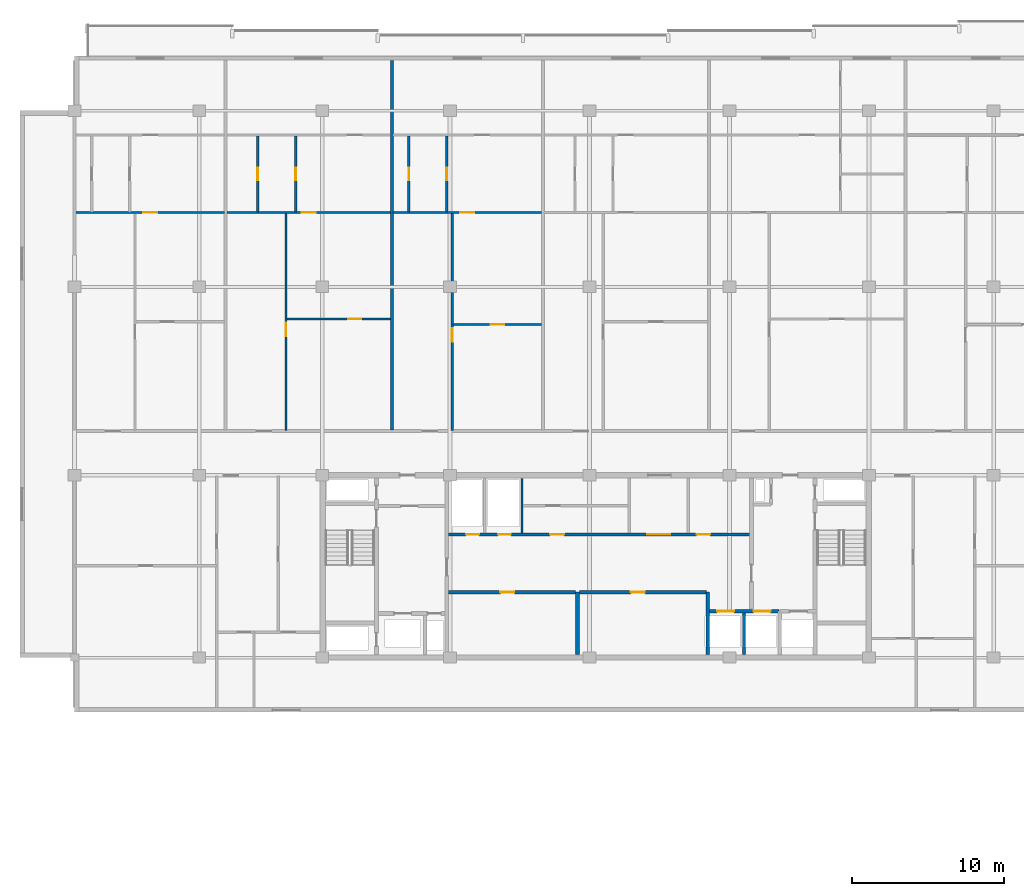
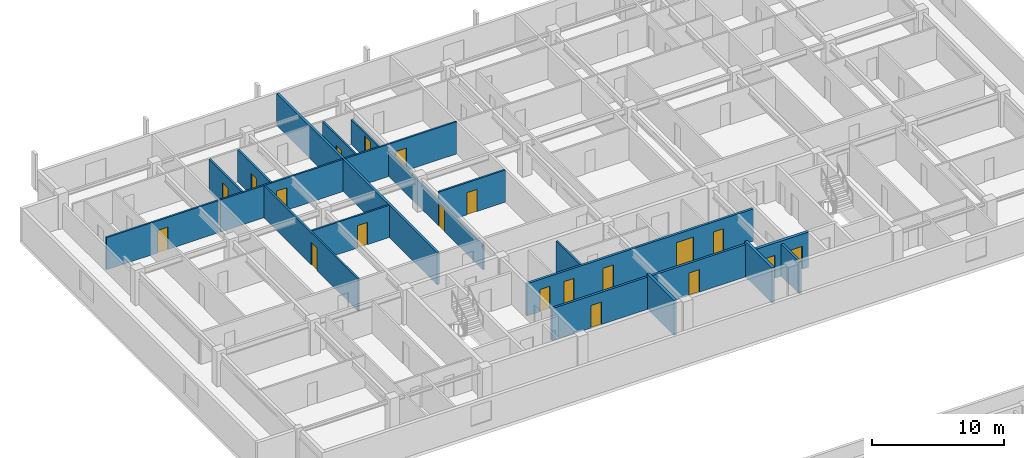
# One storey, part 9 of 17: 20 doors, 20 walls, 20 openings.
"""IFC4 building model written with IfcOpenShell, lengths in metres."""

import ifcopenshell
import ifcopenshell.guid

model = None  # the IFC model being written
_history = None  # IfcOwnerHistory: only IFC2X3 demands one
_inside = {}  # id of a spatial element -> (the spatial element, [elements in it])
_under = {}  # id of a project, library or spatial element -> (it, [spatial elements below it])
_declared = {}  # id of a project -> (the project, [libraries it declares])
_typed = {}  # id of a type object -> (the type object, [elements of that type])
_made_of = {}  # id of a material, layer set ... -> (it, [elements and type objects made of it])


def new_model(schema):
    """Start an empty IFC model of exactly this schema.

    Asked for "IFC4X3", IfcOpenShell would pick the latest addendum, in which some entities
    have other attributes; the version numbers below select the first issue.
    IFC2X3 requires an IfcOwnerHistory on every rooted entity: one is made here for all.
    """
    global model, _history
    if schema == "IFC4X3":
        model = ifcopenshell.file(schema_version=(4, 3, 0, 0))
    else:
        model = ifcopenshell.file(schema=schema)
    _inside.clear()
    _under.clear()
    _declared.clear()
    _typed.clear()
    _made_of.clear()
    _history = None
    if model.schema == "IFC2X3":
        org = make("IfcOrganization", Name="unknown")
        user = make(
            "IfcPersonAndOrganization",
            ThePerson=make("IfcPerson", FamilyName="unknown"),
            TheOrganization=org,
        )
        app = make(
            "IfcApplication",
            ApplicationDeveloper=org,
            Version="unknown",
            ApplicationFullName="unknown",
            ApplicationIdentifier="unknown",
        )
        _history = make(
            "IfcOwnerHistory",
            OwningUser=user,
            OwningApplication=app,
            ChangeAction="ADDED",
            CreationDate=0,
        )
    return model


def make(cls, **values):
    """One entity of the class cls with the attributes given. An attribute that is None is left unset."""
    return model.create_entity(
        cls, **{name: value for name, value in values.items() if value is not None}
    )


def rooted(cls, **values):
    """An entity with a GlobalId (a new one), such as an element, a storey or a relation."""
    return make(cls, GlobalId=ifcopenshell.guid.new(), OwnerHistory=_history, **values)


def si_unit(unit_type, name, prefix=None):
    """IfcSIUnit, for example si_unit("LENGTHUNIT", "METRE", prefix="MILLI")."""
    return make("IfcSIUnit", UnitType=unit_type, Prefix=prefix, Name=name)


def assignment(units):
    """IfcUnitAssignment: the units of a project."""
    return None if units is None else make("IfcUnitAssignment", Units=units)


def point(xyz):
    """IfcCartesianPoint."""
    return None if xyz is None else make("IfcCartesianPoint", Coordinates=xyz)


def direction(xyz):
    """IfcDirection."""
    return None if xyz is None else make("IfcDirection", DirectionRatios=xyz)


def frame(location, z_axis=None, x_axis=None):
    """IfcAxis2Placement3D, a coordinate frame: its origin and axes. An axis left out is left unset."""
    return make(
        "IfcAxis2Placement3D",
        Location=point(location),
        Axis=direction(z_axis),
        RefDirection=direction(x_axis),
    )


def frame_2d(location, x_axis=None):
    """IfcAxis2Placement2D, a coordinate frame in the plane: its origin and x axis."""
    return make(
        "IfcAxis2Placement2D", Location=point(location), RefDirection=direction(x_axis)
    )


def origin():
    """The frame at (0, 0, 0) with its axes left unset."""
    return frame((0.0, 0.0, 0.0))


def place(relative_to, where):
    """IfcLocalPlacement: puts the frame where relative to a parent placement (None: the world)."""
    return make(
        "IfcLocalPlacement", PlacementRelTo=relative_to, RelativePlacement=where
    )


def context(
    kind, dimensions, precision=None, world=None, true_north=None, identifier=None
):
    """IfcGeometricRepresentationContext, for example the 3D "Model" context."""
    return make(
        "IfcGeometricRepresentationContext",
        ContextIdentifier=identifier,
        ContextType=kind,
        CoordinateSpaceDimension=dimensions,
        Precision=precision,
        WorldCoordinateSystem=world,
        TrueNorth=true_north,
    )


def subcontext(parent, identifier, kind, view, scale=None):
    """IfcGeometricRepresentationSubContext, for example "Body" below "Model"."""
    return make(
        "IfcGeometricRepresentationSubContext",
        ContextIdentifier=identifier,
        ContextType=kind,
        ParentContext=parent,
        TargetScale=scale,
        TargetView=view,
    )


def project(units=None, contexts=None):
    """IfcProject with its units and contexts."""
    return rooted(
        "IfcProject",
        Name="project",
        RepresentationContexts=contexts,
        UnitsInContext=assignment(units),
    )


def spatial(cls, under=None, at=None, **own):
    """A site, building, storey or space (cls), placed at a placement, below another one or the project."""
    s = rooted(cls, ObjectPlacement=at, **own)
    if under is not None:
        _under.setdefault(under.id(), (under, []))[1].append(s)
    return s


def profile(cls, at=None, kind="AREA", **sizes):
    """A parametric profile (cls). Its sizes go by their IFC names, for example OverallWidth=200.0."""
    return make(cls, ProfileType=kind, Position=at, **sizes)


def rectangle(**sizes):
    """IfcRectangleProfileDef."""
    return profile("IfcRectangleProfileDef", **sizes)


def extrude(swept, where, along, depth):
    """IfcExtrudedAreaSolid: the profile swept, set in the frame where, extruded along a direction by depth."""
    return make(
        "IfcExtrudedAreaSolid",
        SweptArea=swept,
        Position=where,
        ExtrudedDirection=direction(along),
        Depth=depth,
    )


def shape(context_of_items, identifier, shape_type, items):
    """IfcShapeRepresentation: the items that make up one representation, for example the "Body"."""
    return make(
        "IfcShapeRepresentation",
        ContextOfItems=context_of_items,
        RepresentationIdentifier=identifier,
        RepresentationType=shape_type,
        Items=items,
    )


def material(Name=None, Category=None):
    """IfcMaterial."""
    return make("IfcMaterial", Name=Name, Category=Category)


def layer(
    of_material, thickness, ventilated=None, Name=None, Category=None, Priority=None
):
    """IfcMaterialLayer: one layer of a wall or slab, of a material (None: an air gap)."""
    return make(
        "IfcMaterialLayer",
        Material=of_material,
        LayerThickness=thickness,
        IsVentilated=ventilated,
        Name=Name,
        Category=Category,
        Priority=Priority,
    )


def layer_set(layers, Name=None):
    """IfcMaterialLayerSet."""
    return make("IfcMaterialLayerSet", MaterialLayers=layers, LayerSetName=Name)


def made_of(thing, what):
    """Note that an element or type object is made of a material, layer set ...; save() writes the relation."""
    if what is not None:
        _made_of.setdefault(what.id(), (what, []))[1].append(thing)
    return thing


def type_object(cls, material=None, **own):
    """A type object (cls), such as IfcWallType, which elements share."""
    return made_of(rooted(cls, **own), material)


def element(
    cls,
    number,
    at=None,
    inside=None,
    cuts=None,
    type_object=None,
    material=None,
    context=None,
    identifier="Body",
    shape_type=None,
    held_by="IfcProductDefinitionShape",
    body=None,
    shapes=None,
    **own,
):
    """One element of the class cls, such as IfcWall. Its Tag is "e" and its number.

    at: its placement. inside: the storey or other place that contains it. cuts: it is an
    opening in that element (IfcRelVoidsElement). A single representation is given by context,
    identifier, shape_type and body (its items); several are given by shapes. held_by: the class
    of the entity that holds the representations. save() writes the other relations.
    """
    e = rooted(cls, Tag="e%d" % number, ObjectPlacement=at, **own)
    if body is not None:
        shapes = [shape(context, identifier, shape_type, body)]
    if shapes is not None:
        e.Representation = make(held_by, Representations=shapes)
    if inside is not None:
        _inside.setdefault(inside.id(), (inside, []))[1].append(e)
    if cuts is not None:
        rooted(
            "IfcRelVoidsElement", RelatingBuildingElement=cuts, RelatedOpeningElement=e
        )
    if type_object is not None:
        _typed.setdefault(type_object.id(), (type_object, []))[1].append(e)
    return made_of(e, material)


def fill(opening, filler):
    """IfcRelFillsElement: the door or window that sits in an opening."""
    return rooted(
        "IfcRelFillsElement",
        RelatingOpeningElement=opening,
        RelatedBuildingElement=filler,
    )


def aggregate(whole, parts):
    """IfcRelAggregates: a whole, such as a stair, and the parts it consists of."""
    return rooted("IfcRelAggregates", RelatingObject=whole, RelatedObjects=parts)


def save(model, path):
    """Write the relations noted so far, then the file.

    IfcRelAggregates (storeys below a building ...), IfcRelContainedInSpatialStructure (elements
    in a storey), IfcRelDefinesByType, IfcRelAssociatesMaterial and IfcRelDeclares: one each for
    every whole, place, type object, material and project.
    """
    for whole, parts in _under.values():
        aggregate(whole, parts)
    for where, things in _inside.values():
        rooted(
            "IfcRelContainedInSpatialStructure",
            RelatedElements=things,
            RelatingStructure=where,
        )
    for kind, things in _typed.values():
        rooted("IfcRelDefinesByType", RelatedObjects=things, RelatingType=kind)
    for what, things in _made_of.values():
        rooted("IfcRelAssociatesMaterial", RelatedObjects=things, RelatingMaterial=what)
    for by, libraries in _declared.values():
        rooted("IfcRelDeclares", RelatingContext=by, RelatedDefinitions=libraries)
    model.write(path)


model = new_model("IFC4")

# Units and contexts
model_context = context("Model", 3, precision=1e-05, world=origin(), true_north=direction((0.0, 1.0)))
body_context = subcontext(model_context, "Body", "Model", "MODEL_VIEW")
ifc_project = project(units=[si_unit("LENGTHUNIT", "METRE"), si_unit("AREAUNIT", "SQUARE_METRE"), si_unit("VOLUMEUNIT", "CUBIC_METRE"), si_unit("PLANEANGLEUNIT", "RADIAN"), si_unit("MASSUNIT", "GRAM", prefix="KILO")], contexts=[model_context])

# Site, building, storey
site_placement = place(None, origin())
site = spatial("IfcSite", under=ifc_project, at=site_placement, CompositionType="ELEMENT")
building_placement = place(site_placement, origin())
building = spatial("IfcBuilding", under=site, at=building_placement, Name="Korimba Cascade Residences", CompositionType="ELEMENT")
storey_placement = place(building_placement, frame((0.0, 0.0, 204.35009765625)))
storey = spatial("IfcBuildingStorey", under=building, at=storey_placement, Name="L59", CompositionType="ELEMENT", Elevation=204.35009765625)

# Walls
ifc_material_1 = material(Name="Precast concrete C40/50", Category="concrete")
ifc_layer_1 = layer(ifc_material_1, 0.199951171875)
ifc_layer_set_1 = layer_set([ifc_layer_1], Name="Precast concrete C40/50")
wall_type_1 = type_object("IfcWallType", Name="WAL-IT-200", PredefinedType="PARTITIONING", material=ifc_layer_set_1)
wall_1_placement = place(storey_placement, frame((80.67822265625, 70.179931640625, 0.0), z_axis=(0.0, 0.0, 1.0), x_axis=(0.0, 1.0, 0.0)))
element("IfcWall", 1, at=wall_1_placement, inside=storey, type_object=wall_type_1, Name="L59 Partition Wall WAL-L59-T1-DEM-2", PredefinedType="PARTITIONING", context=body_context, shape_type="SweptSolid", body=[
    extrude(rectangle(XDim=24.320068359375, YDim=0.199951171875, at=frame_2d((12.16015625, 0.0))), origin(), (0.0, 0.0, 1.0), 2.97998046875),
])
ifc_material_2 = material(Name="Insulated Acoustic Stud Partition", Category="gypsum")
ifc_layer_2 = layer(ifc_material_2, 0.14990234375)
ifc_layer_set_2 = layer_set([ifc_layer_2], Name="Insulated Acoustic Stud Partition")
wall_type_2 = type_object("IfcWallType", Name="WAL-PART-150", PredefinedType="PARTITIONING", material=ifc_layer_set_2)
wall_2_placement = place(storey_placement, frame((89.25, 63.39990234375, 0.0), z_axis=(0.0, 0.0, 1.0), x_axis=(0.0, 1.0, 0.0)))
element("IfcWall", 2, at=wall_2_placement, inside=storey, type_object=wall_type_2, Name="L59 Partition Wall CW-L59-T1-PRDIV", PredefinedType="PARTITIONING", context=body_context, shape_type="SweptSolid", body=[
    extrude(rectangle(XDim=3.60009765625, YDim=0.14990234375, at=frame_2d((1.800048828125, 0.0))), origin(), (0.0, 0.0, 1.0), 2.97998046875),
])

# Wall, opening, door
wall_3_placement = place(storey_placement, frame((59.8798828125, 84.5, 0.0), z_axis=(0.0, 0.0, 1.0), x_axis=(1.0, 0.0, 0.0)))
wall_3 = element("IfcWall", 3, at=wall_3_placement, inside=storey, type_object=wall_type_2, Name="L59 Partition Wall WAL-L59-T1-U01-MW", PredefinedType="PARTITIONING", context=body_context, shape_type="SweptSolid", body=[
    extrude(rectangle(XDim=9.7822265625, YDim=0.14990234375, at=frame_2d((4.89111328125, 0.0))), origin(), (0.0, 0.0, 1.0), 2.97998046875),
])
opening_1_placement = place(wall_3_placement, frame((4.430908203125, 0.0, 0.0)))
opening_1 = element("IfcOpeningElement", 4, at=opening_1_placement, cuts=wall_3, Name="Opening D-IN1", PredefinedType="OPENING", context=body_context, shape_type="SweptSolid", body=[
    extrude(rectangle(XDim=0.919921875, YDim=2.080078125, at=frame_2d((0.4599609375, 1.0400390625))), frame((0.0, 0.0849609375, 0.0), z_axis=(0.0, -1.0, 0.0), x_axis=(1.0, 0.0, 0.0)), (0.0, 0.0, 1.0), 0.169921875),
])
ifc_material_3 = material(Name="Acoustic Timber Living Door", Category="wood")
door_type_1 = type_object("IfcDoorType", Name="DR-INT-920", OperationType="NOTDEFINED", PredefinedType="DOOR", material=ifc_material_3)
door_1_placement = place(opening_1_placement, origin())
door_1 = element("IfcDoor", 5, at=door_1_placement, inside=storey, type_object=door_type_1, Name="L59-T1-U01 Studio Kitchen Door", OperationType="SINGLE_SWING_LEFT", OverallHeight=2.080078125, OverallWidth=0.919921875, PredefinedType="DOOR", context=body_context, shape_type="SweptSolid", body=[
    extrude(rectangle(XDim=0.919921875, YDim=2.080078125, at=frame_2d((0.4599609375, 1.0400390625))), frame((0.0, 0.02490234375, 0.0), z_axis=(0.0, -1.0, 0.0), x_axis=(1.0, 0.0, 0.0)), (0.0, 0.0, 1.0), 0.050048828125),
])
fill(opening_1, door_1)

wall_4_placement = place(storey_placement, frame((73.77197265625, 77.489990234375, 0.0), z_axis=(0.0, 0.0, 1.0), x_axis=(1.0, 0.0, 0.0)))
wall_4 = element("IfcWall", 6, at=wall_4_placement, inside=storey, type_object=wall_type_2, Name="L59 Partition Wall WAL-L59-T1-U02-FMH", PredefinedType="PARTITIONING", context=body_context, shape_type="SweptSolid", body=[
    extrude(rectangle(XDim=6.826171875, YDim=0.14990234375, at=frame_2d((3.4130859375, 0.0))), origin(), (0.0, 0.0, 1.0), 2.97998046875),
])
opening_2_placement = place(wall_4_placement, frame((4.022216796875, 0.0, 0.0)))
opening_2 = element("IfcOpeningElement", 7, at=opening_2_placement, cuts=wall_4, Name="Opening D-IN2", PredefinedType="OPENING", context=body_context, shape_type="SweptSolid", body=[
    extrude(rectangle(XDim=0.8798828125, YDim=2.06005859375, at=frame_2d((0.43994140625, 1.030029296875))), frame((0.0, 0.0849609375, 0.0), z_axis=(0.0, -1.0, 0.0), x_axis=(1.0, 0.0, 0.0)), (0.0, 0.0, 1.0), 0.169921875),
])
ifc_material_4 = material(Name="Acoustic Timber Bedroom Door", Category="wood")
door_type_2 = type_object("IfcDoorType", Name="DR-INT-880", OperationType="NOTDEFINED", PredefinedType="DOOR", material=ifc_material_4)
door_2_placement = place(opening_2_placement, origin())
door_2 = element("IfcDoor", 8, at=door_2_placement, inside=storey, type_object=door_type_2, Name="L59-T1-U02 Library Salon Door", OperationType="SINGLE_SWING_LEFT", OverallHeight=2.06005859375, OverallWidth=0.8798828125, PredefinedType="DOOR", context=body_context, shape_type="SweptSolid", body=[
    extrude(rectangle(XDim=0.8798828125, YDim=2.06005859375, at=frame_2d((0.43994140625, 1.030029296875))), frame((0.0, 0.02490234375, 0.0), z_axis=(0.0, -1.0, 0.0), x_axis=(1.0, 0.0, 0.0)), (0.0, 0.0, 1.0), 0.050048828125),
])
fill(opening_2, door_2)

wall_5_placement = place(storey_placement, frame((73.7119140625, 70.159912109375, 0.0), z_axis=(0.0, 0.0, 1.0), x_axis=(0.0, 1.0, 0.0)))
wall_5 = element("IfcWall", 9, at=wall_5_placement, inside=storey, type_object=wall_type_2, Name="L59 Partition Wall WAL-L59-T1-U02-FV", PredefinedType="PARTITIONING", context=body_context, shape_type="SweptSolid", body=[
    extrude(rectangle(XDim=14.300048828125, YDim=0.14990234375, at=frame_2d((7.14990234375, 0.0))), origin(), (0.0, 0.0, 1.0), 2.97998046875),
])
opening_3_placement = place(wall_5_placement, frame((6.199951171875, 0.0, 0.0)))
opening_3 = element("IfcOpeningElement", 10, at=opening_3_placement, cuts=wall_5, Name="Opening D-IN2", PredefinedType="OPENING", context=body_context, shape_type="SweptSolid", body=[
    extrude(rectangle(XDim=0.8798828125, YDim=2.06005859375, at=frame_2d((0.43994140625, 1.030029296875))), frame((0.0, 0.0849609375, 0.0), z_axis=(0.0, -1.0, 0.0), x_axis=(1.0, 0.0, 0.0)), (0.0, 0.0, 1.0), 0.169921875),
])
door_3_placement = place(opening_3_placement, origin())
door_3 = element("IfcDoor", 11, at=door_3_placement, inside=storey, type_object=door_type_2, Name="L59-T1-U02 Media Lounge Door", OperationType="SINGLE_SWING_RIGHT", OverallHeight=2.06005859375, OverallWidth=0.8798828125, PredefinedType="DOOR", context=body_context, shape_type="SweptSolid", body=[
    extrude(rectangle(XDim=0.8798828125, YDim=2.06005859375, at=frame_2d((0.43994140625, 1.030029296875))), frame((0.0, 0.02490234375, 0.0), z_axis=(0.0, -1.0, 0.0), x_axis=(1.0, 0.0, 0.0)), (0.0, 0.0, 1.0), 0.050048828125),
])
fill(opening_3, door_3)

wall_6_placement = place(storey_placement, frame((71.858154296875, 84.5400390625, 0.0), z_axis=(0.0, 0.0, 1.0), x_axis=(0.0, 1.0, 0.0)))
wall_6 = element("IfcWall", 12, at=wall_6_placement, inside=storey, type_object=wall_type_2, Name="L59 Partition Wall WAL-L59-T1-U02-CLS", PredefinedType="PARTITIONING", context=body_context, shape_type="SweptSolid", body=[
    extrude(rectangle(XDim=5.0, YDim=0.14990234375, at=frame_2d((2.5, 0.0))), origin(), (0.0, 0.0, 1.0), 2.97998046875),
])
opening_4_placement = place(wall_6_placement, frame((2.080078125, 0.0, 0.0)))
opening_4 = element("IfcOpeningElement", 13, at=opening_4_placement, cuts=wall_6, Name="Opening D-BT1", PredefinedType="OPENING", context=body_context, shape_type="SweptSolid", body=[
    extrude(rectangle(XDim=0.840087890625, YDim=2.0400390625, at=frame_2d((0.419921875, 1.02001953125))), frame((0.0, 0.0849609375, 0.0), z_axis=(0.0, -1.0, 0.0), x_axis=(1.0, 0.0, 0.0)), (0.0, 0.0, 1.0), 0.169921875),
])
ifc_material_5 = material(Name="Moisture-Resistant Bathroom Timber Door", Category="wood")
door_type_3 = type_object("IfcDoorType", Name="DR-INT-850", OperationType="NOTDEFINED", PredefinedType="DOOR", material=ifc_material_5)
door_4_placement = place(opening_4_placement, origin())
door_4 = element("IfcDoor", 14, at=door_4_placement, inside=storey, type_object=door_type_3, Name="L59-T1-U02 Closet Door", OperationType="SINGLE_SWING_LEFT", OverallHeight=2.0400390625, OverallWidth=0.840087890625, PredefinedType="DOOR", context=body_context, shape_type="SweptSolid", body=[
    extrude(rectangle(XDim=0.840087890625, YDim=2.0400390625, at=frame_2d((0.419921875, 1.02001953125))), frame((0.0, 0.02490234375, 0.0), z_axis=(0.0, -1.0, 0.0), x_axis=(1.0, 0.0, 0.0)), (0.0, 0.0, 1.0), 0.050048828125),
])
fill(opening_4, door_4)

wall_7_placement = place(storey_placement, frame((74.358154296875, 84.5400390625, 0.0), z_axis=(0.0, 0.0, 1.0), x_axis=(0.0, 1.0, 0.0)))
wall_7 = element("IfcWall", 15, at=wall_7_placement, inside=storey, type_object=wall_type_2, Name="L59 Partition Wall WAL-L59-T1-U02-BM", PredefinedType="PARTITIONING", context=body_context, shape_type="SweptSolid", body=[
    extrude(rectangle(XDim=5.0, YDim=0.14990234375, at=frame_2d((2.5, 0.0))), origin(), (0.0, 0.0, 1.0), 2.97998046875),
])
opening_5_placement = place(wall_7_placement, frame((2.080078125, 0.0, 0.0)))
opening_5 = element("IfcOpeningElement", 16, at=opening_5_placement, cuts=wall_7, Name="Opening D-BT1", PredefinedType="OPENING", context=body_context, shape_type="SweptSolid", body=[
    extrude(rectangle(XDim=0.840087890625, YDim=2.0400390625, at=frame_2d((0.419921875, 1.02001953125))), frame((0.0, 0.0849609375, 0.0), z_axis=(0.0, -1.0, 0.0), x_axis=(1.0, 0.0, 0.0)), (0.0, 0.0, 1.0), 0.169921875),
])
door_5_placement = place(opening_5_placement, origin())
door_5 = element("IfcDoor", 17, at=door_5_placement, inside=storey, type_object=door_type_3, Name="L59-T1-U02 Bathroom Door", OperationType="SINGLE_SWING_RIGHT", OverallHeight=2.0400390625, OverallWidth=0.840087890625, PredefinedType="DOOR", context=body_context, shape_type="SweptSolid", body=[
    extrude(rectangle(XDim=0.840087890625, YDim=2.0400390625, at=frame_2d((0.419921875, 1.02001953125))), frame((0.0, 0.02490234375, 0.0), z_axis=(0.0, -1.0, 0.0), x_axis=(1.0, 0.0, 0.0)), (0.0, 0.0, 1.0), 0.050048828125),
])
fill(opening_5, door_5)

wall_8_placement = place(storey_placement, frame((69.822021484375, 84.5, 0.0), z_axis=(0.0, 0.0, 1.0), x_axis=(1.0, 0.0, 0.0)))
wall_8 = element("IfcWall", 18, at=wall_8_placement, inside=storey, type_object=wall_type_2, Name="L59 Partition Wall WAL-L59-T1-U02-MW", PredefinedType="PARTITIONING", context=body_context, shape_type="SweptSolid", body=[
    extrude(rectangle(XDim=10.776123046875, YDim=0.14990234375, at=frame_2d((5.38818359375, 0.0))), origin(), (0.0, 0.0, 1.0), 2.97998046875),
])
opening_6_placement = place(wall_8_placement, frame((4.927978515625, 0.0, 0.0)))
opening_6 = element("IfcOpeningElement", 19, at=opening_6_placement, cuts=wall_8, Name="Opening D-IN1", PredefinedType="OPENING", context=body_context, shape_type="SweptSolid", body=[
    extrude(rectangle(XDim=0.919921875, YDim=2.080078125, at=frame_2d((0.4599609375, 1.0400390625))), frame((0.0, 0.0849609375, 0.0), z_axis=(0.0, -1.0, 0.0), x_axis=(1.0, 0.0, 0.0)), (0.0, 0.0, 1.0), 0.169921875),
])
door_6_placement = place(opening_6_placement, origin())
door_6 = element("IfcDoor", 20, at=door_6_placement, inside=storey, type_object=door_type_1, Name="L59-T1-U02 Studio Kitchen Door", OperationType="SINGLE_SWING_LEFT", OverallHeight=2.080078125, OverallWidth=0.919921875, PredefinedType="DOOR", context=body_context, shape_type="SweptSolid", body=[
    extrude(rectangle(XDim=0.919921875, YDim=2.080078125, at=frame_2d((0.4599609375, 1.0400390625))), frame((0.0, 0.02490234375, 0.0), z_axis=(0.0, -1.0, 0.0), x_axis=(1.0, 0.0, 0.0)), (0.0, 0.0, 1.0), 0.050048828125),
])
fill(opening_6, door_6)

wall_9_placement = place(storey_placement, frame((84.708251953125, 77.1298828125, 0.0), z_axis=(0.0, 0.0, 1.0), x_axis=(1.0, 0.0, 0.0)))
wall_9 = element("IfcWall", 21, at=wall_9_placement, inside=storey, type_object=wall_type_2, Name="L59 Partition Wall WAL-L59-T1-U03-FMH", PredefinedType="PARTITIONING", context=body_context, shape_type="SweptSolid", body=[
    extrude(rectangle(XDim=5.83203125, YDim=0.14990234375, at=frame_2d((2.916015625, 0.0))), origin(), (0.0, 0.0, 1.0), 2.97998046875),
])
opening_7_placement = place(wall_9_placement, frame((2.47607421875, 0.0, 0.0)))
opening_7 = element("IfcOpeningElement", 22, at=opening_7_placement, cuts=wall_9, Name="Opening D-IN2", PredefinedType="OPENING", context=body_context, shape_type="SweptSolid", body=[
    extrude(rectangle(XDim=0.8798828125, YDim=2.06005859375, at=frame_2d((0.43994140625, 1.030029296875))), frame((0.0, 0.0849609375, 0.0), z_axis=(0.0, -1.0, 0.0), x_axis=(1.0, 0.0, 0.0)), (0.0, 0.0, 1.0), 0.169921875),
])
door_7_placement = place(opening_7_placement, origin())
door_7 = element("IfcDoor", 23, at=door_7_placement, inside=storey, type_object=door_type_2, Name="L59-T1-U03 Library Salon Door", OperationType="SINGLE_SWING_LEFT", OverallHeight=2.06005859375, OverallWidth=0.8798828125, PredefinedType="DOOR", context=body_context, shape_type="SweptSolid", body=[
    extrude(rectangle(XDim=0.8798828125, YDim=2.06005859375, at=frame_2d((0.43994140625, 1.030029296875))), frame((0.0, 0.02490234375, 0.0), z_axis=(0.0, -1.0, 0.0), x_axis=(1.0, 0.0, 0.0)), (0.0, 0.0, 1.0), 0.050048828125),
])
fill(opening_7, door_7)

wall_10_placement = place(storey_placement, frame((84.648193359375, 70.159912109375, 0.0), z_axis=(0.0, 0.0, 1.0), x_axis=(0.0, 1.0, 0.0)))
wall_10 = element("IfcWall", 24, at=wall_10_placement, inside=storey, type_object=wall_type_2, Name="L59 Partition Wall WAL-L59-T1-U03-FV", PredefinedType="PARTITIONING", context=body_context, shape_type="SweptSolid", body=[
    extrude(rectangle(XDim=14.300048828125, YDim=0.14990234375, at=frame_2d((7.14990234375, 0.0))), origin(), (0.0, 0.0, 1.0), 2.287109375),
])
opening_8_placement = place(wall_10_placement, frame((5.840087890625, 0.0, 0.0)))
opening_8 = element("IfcOpeningElement", 25, at=opening_8_placement, cuts=wall_10, Name="Opening D-IN2", PredefinedType="OPENING", context=body_context, shape_type="SweptSolid", body=[
    extrude(rectangle(XDim=0.8798828125, YDim=2.06005859375, at=frame_2d((0.43994140625, 1.030029296875))), frame((0.0, 0.0849609375, 0.0), z_axis=(0.0, -1.0, 0.0), x_axis=(1.0, 0.0, 0.0)), (0.0, 0.0, 1.0), 0.169921875),
])
door_8_placement = place(opening_8_placement, origin())
door_8 = element("IfcDoor", 26, at=door_8_placement, inside=storey, type_object=door_type_2, Name="L59-T1-U03 Media Lounge Door", OperationType="SINGLE_SWING_RIGHT", OverallHeight=2.06005859375, OverallWidth=0.8798828125, PredefinedType="DOOR", context=body_context, shape_type="SweptSolid", body=[
    extrude(rectangle(XDim=0.8798828125, YDim=2.06005859375, at=frame_2d((0.43994140625, 1.030029296875))), frame((0.0, 0.02490234375, 0.0), z_axis=(0.0, -1.0, 0.0), x_axis=(1.0, 0.0, 0.0)), (0.0, 0.0, 1.0), 0.050048828125),
])
fill(opening_8, door_8)

wall_11_placement = place(storey_placement, frame((81.80029296875, 84.5400390625, 0.0), z_axis=(0.0, 0.0, 1.0), x_axis=(0.0, 1.0, 0.0)))
wall_11 = element("IfcWall", 27, at=wall_11_placement, inside=storey, type_object=wall_type_2, Name="L59 Partition Wall WAL-L59-T1-U03-CLS", PredefinedType="PARTITIONING", context=body_context, shape_type="SweptSolid", body=[
    extrude(rectangle(XDim=5.0, YDim=0.14990234375, at=frame_2d((2.5, 0.0))), origin(), (0.0, 0.0, 1.0), 2.97998046875),
])
opening_9_placement = place(wall_11_placement, frame((2.080078125, 0.0, 0.0)))
opening_9 = element("IfcOpeningElement", 28, at=opening_9_placement, cuts=wall_11, Name="Opening D-BT1", PredefinedType="OPENING", context=body_context, shape_type="SweptSolid", body=[
    extrude(rectangle(XDim=0.840087890625, YDim=2.0400390625, at=frame_2d((0.419921875, 1.02001953125))), frame((0.0, 0.0849609375, 0.0), z_axis=(0.0, -1.0, 0.0), x_axis=(1.0, 0.0, 0.0)), (0.0, 0.0, 1.0), 0.169921875),
])
door_9_placement = place(opening_9_placement, origin())
door_9 = element("IfcDoor", 29, at=door_9_placement, inside=storey, type_object=door_type_3, Name="L59-T1-U03 Closet Door", OperationType="SINGLE_SWING_LEFT", OverallHeight=2.0400390625, OverallWidth=0.840087890625, PredefinedType="DOOR", context=body_context, shape_type="SweptSolid", body=[
    extrude(rectangle(XDim=0.840087890625, YDim=2.0400390625, at=frame_2d((0.419921875, 1.02001953125))), frame((0.0, 0.02490234375, 0.0), z_axis=(0.0, -1.0, 0.0), x_axis=(1.0, 0.0, 0.0)), (0.0, 0.0, 1.0), 0.050048828125),
])
fill(opening_9, door_9)

wall_12_placement = place(storey_placement, frame((84.30029296875, 84.5400390625, 0.0), z_axis=(0.0, 0.0, 1.0), x_axis=(0.0, 1.0, 0.0)))
wall_12 = element("IfcWall", 30, at=wall_12_placement, inside=storey, type_object=wall_type_2, Name="L59 Partition Wall WAL-L59-T1-U03-BM", PredefinedType="PARTITIONING", context=body_context, shape_type="SweptSolid", body=[
    extrude(rectangle(XDim=5.0, YDim=0.14990234375, at=frame_2d((2.5, 0.0))), origin(), (0.0, 0.0, 1.0), 2.287109375),
])
opening_10_placement = place(wall_12_placement, frame((2.080078125, 0.0, 0.0)))
opening_10 = element("IfcOpeningElement", 31, at=opening_10_placement, cuts=wall_12, Name="Opening D-BT1", PredefinedType="OPENING", context=body_context, shape_type="SweptSolid", body=[
    extrude(rectangle(XDim=0.840087890625, YDim=2.0400390625, at=frame_2d((0.419921875, 1.02001953125))), frame((0.0, 0.0849609375, 0.0), z_axis=(0.0, -1.0, 0.0), x_axis=(1.0, 0.0, 0.0)), (0.0, 0.0, 1.0), 0.169921875),
])
door_10_placement = place(opening_10_placement, origin())
door_10 = element("IfcDoor", 32, at=door_10_placement, inside=storey, type_object=door_type_3, Name="L59-T1-U03 Bathroom Door", OperationType="SINGLE_SWING_RIGHT", OverallHeight=2.0400390625, OverallWidth=0.840087890625, PredefinedType="DOOR", context=body_context, shape_type="SweptSolid", body=[
    extrude(rectangle(XDim=0.840087890625, YDim=2.0400390625, at=frame_2d((0.419921875, 1.02001953125))), frame((0.0, 0.02490234375, 0.0), z_axis=(0.0, -1.0, 0.0), x_axis=(1.0, 0.0, 0.0)), (0.0, 0.0, 1.0), 0.050048828125),
])
fill(opening_10, door_10)

wall_13_placement = place(storey_placement, frame((80.75830078125, 84.5, 0.0), z_axis=(0.0, 0.0, 1.0), x_axis=(1.0, 0.0, 0.0)))
wall_13 = element("IfcWall", 33, at=wall_13_placement, inside=storey, type_object=wall_type_2, Name="L59 Partition Wall WAL-L59-T1-U03-MW", PredefinedType="PARTITIONING", context=body_context, shape_type="SweptSolid", body=[
    extrude(rectangle(XDim=9.781982421875, YDim=0.14990234375, at=frame_2d((4.89111328125, 0.0))), origin(), (0.0, 0.0, 1.0), 2.97998046875),
])
opening_11_placement = place(wall_13_placement, frame((4.430908203125, 0.0, 0.0)))
opening_11 = element("IfcOpeningElement", 34, at=opening_11_placement, cuts=wall_13, Name="Opening D-IN1", PredefinedType="OPENING", context=body_context, shape_type="SweptSolid", body=[
    extrude(rectangle(XDim=0.919921875, YDim=2.080078125, at=frame_2d((0.4599609375, 1.0400390625))), frame((0.0, 0.0849609375, 0.0), z_axis=(0.0, -1.0, 0.0), x_axis=(1.0, 0.0, 0.0)), (0.0, 0.0, 1.0), 0.169921875),
])
door_11_placement = place(opening_11_placement, origin())
door_11 = element("IfcDoor", 35, at=door_11_placement, inside=storey, type_object=door_type_1, Name="L59-T1-U03 Studio Kitchen Door", OperationType="SINGLE_SWING_LEFT", OverallHeight=2.080078125, OverallWidth=0.919921875, PredefinedType="DOOR", context=body_context, shape_type="SweptSolid", body=[
    extrude(rectangle(XDim=0.919921875, YDim=2.080078125, at=frame_2d((0.4599609375, 1.0400390625))), frame((0.0, 0.02490234375, 0.0), z_axis=(0.0, -1.0, 0.0), x_axis=(1.0, 0.0, 0.0)), (0.0, 0.0, 1.0), 0.050048828125),
])
fill(opening_11, door_11)

ifc_material_6 = material(Name="Concrete C40/50", Category="concrete")
ifc_layer_3 = layer(ifc_material_6, 0.199951171875)
ifc_layer_set_3 = layer_set([ifc_layer_3], Name="Concrete C40/50")
wall_type_3 = type_object("IfcWallType", Name="WAL-PART-200", PredefinedType="PARTITIONING", material=ifc_layer_set_3)
wall_14_placement = place(storey_placement, frame((84.419921875, 59.5, 0.0), z_axis=(0.0, 0.0, 1.0), x_axis=(1.0, 0.0, 0.0)))
wall_14 = element("IfcWall", 36, at=wall_14_placement, inside=storey, type_object=wall_type_3, Name="L59 Partition Wall CW-L59-T1-B1RN", PredefinedType="PARTITIONING", context=body_context, shape_type="SweptSolid", body=[
    extrude(rectangle(XDim=8.360107421875, YDim=0.199951171875, at=frame_2d((4.18017578125, 0.0))), origin(), (0.0, 0.0, 1.0), 2.97998046875),
])
opening_12_placement = place(wall_14_placement, frame((3.39990234375, 0.0, 0.0)))
opening_12 = element("IfcOpeningElement", 37, at=opening_12_placement, cuts=wall_14, Name="Opening D-ST1", PredefinedType="OPENING", context=body_context, shape_type="SweptSolid", body=[
    extrude(rectangle(XDim=0.919921875, YDim=2.080078125, at=frame_2d((0.4599609375, 1.0400390625))), frame((0.0, 0.10986328125, 0.0), z_axis=(0.0, -1.0, 0.0), x_axis=(1.0, 0.0, 0.0)), (0.0, 0.0, 1.0), 0.219970703125),
])
ifc_material_7 = material(Name="Fire-Rated Core Store Door", Category="wood")
door_type_4 = type_object("IfcDoorType", Name="DR-FD60-920", OperationType="NOTDEFINED", PredefinedType="DOOR", material=ifc_material_7)
door_12_placement = place(opening_12_placement, origin())
door_12 = element("IfcDoor", 38, at=door_12_placement, inside=storey, type_object=door_type_4, Name="L59 Resident Storage Door", OperationType="SINGLE_SWING_RIGHT", OverallHeight=2.080078125, OverallWidth=0.919921875, PredefinedType="DOOR", context=body_context, shape_type="SweptSolid", body=[
    extrude(rectangle(XDim=0.919921875, YDim=2.080078125, at=frame_2d((0.4599609375, 1.0400390625))), frame((0.0, 0.02490234375, 0.0), z_axis=(0.0, -1.0, 0.0), x_axis=(1.0, 0.0, 0.0)), (0.0, 0.0, 1.0), 0.050048828125),
])
fill(opening_12, door_12)

wall_15_placement = place(storey_placement, frame((93.02001953125, 59.5, 0.0), z_axis=(0.0, 0.0, 1.0), x_axis=(1.0, 0.0, 0.0)))
wall_15 = element("IfcWall", 39, at=wall_15_placement, inside=storey, type_object=wall_type_3, Name="L59 Partition Wall CW-L59-T1-B2RN", PredefinedType="PARTITIONING", context=body_context, shape_type="SweptSolid", body=[
    extrude(rectangle(XDim=8.35986328125, YDim=0.199951171875, at=frame_2d((4.179931640625, 0.0))), origin(), (0.0, 0.0, 1.0), 2.97998046875),
])
opening_13_placement = place(wall_15_placement, frame((3.39990234375, 0.0, 0.0)))
opening_13 = element("IfcOpeningElement", 40, at=opening_13_placement, cuts=wall_15, Name="Opening D-ST1", PredefinedType="OPENING", context=body_context, shape_type="SweptSolid", body=[
    extrude(rectangle(XDim=0.919921875, YDim=2.080078125, at=frame_2d((0.4599609375, 1.0400390625))), frame((0.0, 0.10986328125, 0.0), z_axis=(0.0, -1.0, 0.0), x_axis=(1.0, 0.0, 0.0)), (0.0, 0.0, 1.0), 0.219970703125),
])
door_13_placement = place(opening_13_placement, origin())
door_13 = element("IfcDoor", 41, at=door_13_placement, inside=storey, type_object=door_type_4, Name="L59 Wine Cellar Store Door", OperationType="SINGLE_SWING_LEFT", OverallHeight=2.080078125, OverallWidth=0.919921875, PredefinedType="DOOR", context=body_context, shape_type="SweptSolid", body=[
    extrude(rectangle(XDim=0.919921875, YDim=2.080078125, at=frame_2d((0.4599609375, 1.0400390625))), frame((0.0, 0.02490234375, 0.0), z_axis=(0.0, -1.0, 0.0), x_axis=(1.0, 0.0, 0.0)), (0.0, 0.0, 1.0), 0.050048828125),
])
fill(opening_13, door_13)

# Wall
wall_16_placement = place(storey_placement, frame((103.85009765625, 55.39990234375, 0.0), z_axis=(0.0, 0.0, 1.0), x_axis=(0.0, 1.0, 0.0)))
element("IfcWall", 42, at=wall_16_placement, inside=storey, type_object=wall_type_3, Name="L59 Partition Wall CW-L59-T1-B3D1", PredefinedType="PARTITIONING", context=body_context, shape_type="SweptSolid", body=[
    extrude(rectangle(XDim=2.72021484375, YDim=0.199951171875, at=frame_2d((1.360107421875, 0.0))), origin(), (0.0, 0.0, 1.0), 2.97998046875),
])

# Wall, openings, doors
wall_17_placement = place(storey_placement, frame((84.419921875, 63.300048828125, 0.0), z_axis=(0.0, 0.0, 1.0), x_axis=(1.0, 0.0, 0.0)))
wall_17 = element("IfcWall", 43, at=wall_17_placement, inside=storey, type_object=wall_type_3, Name="L59 Partition Wall CW-L59-T1-SRVROW", PredefinedType="PARTITIONING", context=body_context, shape_type="SweptSolid", body=[
    extrude(rectangle(XDim=19.830078125, YDim=0.199951171875, at=frame_2d((9.9150390625, 0.0))), origin(), (0.0, 0.0, 1.0), 2.97998046875),
])
opening_14_placement = place(wall_17_placement, frame((1.14990234375, 0.0, 0.0)))
opening_14 = element("IfcOpeningElement", 44, at=opening_14_placement, cuts=wall_17, Name="Opening D-RS1", PredefinedType="OPENING", context=body_context, shape_type="SweptSolid", body=[
    extrude(rectangle(XDim=0.85009765625, YDim=2.050048828125, at=frame_2d((0.425048828125, 1.02490234375))), frame((0.0, 0.10986328125, 0.0), z_axis=(0.0, -1.0, 0.0), x_axis=(1.0, 0.0, 0.0)), (0.0, 0.0, 1.0), 0.219970703125),
])
opening_15_placement = place(wall_17_placement, frame((3.25, 0.0, 0.0)))
opening_15 = element("IfcOpeningElement", 45, at=opening_15_placement, cuts=wall_17, Name="Opening D-RS1", PredefinedType="OPENING", context=body_context, shape_type="SweptSolid", body=[
    extrude(rectangle(XDim=0.85009765625, YDim=2.050048828125, at=frame_2d((0.425048828125, 1.02490234375))), frame((0.0, 0.10986328125, 0.0), z_axis=(0.0, -1.0, 0.0), x_axis=(1.0, 0.0, 0.0)), (0.0, 0.0, 1.0), 0.219970703125),
])
opening_16_placement = place(wall_17_placement, frame((13.080078125, 0.0, 0.0)))
opening_16 = element("IfcOpeningElement", 46, at=opening_16_placement, cuts=wall_17, Name="Opening D-FD8", PredefinedType="OPENING", context=body_context, shape_type="SweptSolid", body=[
    extrude(rectangle(XDim=1.5, YDim=2.199951171875, at=frame_2d((0.75, 1.10009765625))), frame((0.0, 0.10986328125, 0.0), z_axis=(0.0, -1.0, 0.0), x_axis=(1.0, 0.0, 0.0)), (0.0, 0.0, 1.0), 0.219970703125),
])
opening_17_placement = place(wall_17_placement, frame((6.679931640625, 0.0, 0.0)))
opening_17 = element("IfcOpeningElement", 47, at=opening_17_placement, cuts=wall_17, Name="Opening D-IN1", PredefinedType="OPENING", context=body_context, shape_type="SweptSolid", body=[
    extrude(rectangle(XDim=0.919921875, YDim=2.080078125, at=frame_2d((0.4599609375, 1.0400390625))), frame((0.0, 0.10986328125, 0.0), z_axis=(0.0, -1.0, 0.0), x_axis=(1.0, 0.0, 0.0)), (0.0, 0.0, 1.0), 0.219970703125),
])
opening_18_placement = place(wall_17_placement, frame((16.330078125, 0.0, 0.0)))
opening_18 = element("IfcOpeningElement", 48, at=opening_18_placement, cuts=wall_17, Name="Opening D-IN2", PredefinedType="OPENING", context=body_context, shape_type="SweptSolid", body=[
    extrude(rectangle(XDim=0.8798828125, YDim=2.06005859375, at=frame_2d((0.43994140625, 1.030029296875))), frame((0.0, 0.10986328125, 0.0), z_axis=(0.0, -1.0, 0.0), x_axis=(1.0, 0.0, 0.0)), (0.0, 0.0, 1.0), 0.219970703125),
])
ifc_material_8 = material(Name="Fire-Rated Steel Riser Access Door", Category="steel")
door_type_5 = type_object("IfcDoorType", Name="DR-FD60-850", OperationType="NOTDEFINED", PredefinedType="DOOR", material=ifc_material_8)
door_14_placement = place(opening_14_placement, origin())
door_14 = element("IfcDoor", 49, at=door_14_placement, inside=storey, type_object=door_type_5, Name="L59 Electrical Riser Door", OperationType="SINGLE_SWING_LEFT", OverallHeight=2.050048828125, OverallWidth=0.85009765625, PredefinedType="DOOR", context=body_context, shape_type="SweptSolid", body=[
    extrude(rectangle(XDim=0.85009765625, YDim=2.050048828125, at=frame_2d((0.425048828125, 1.02490234375))), frame((0.0, 0.02490234375, 0.0), z_axis=(0.0, -1.0, 0.0), x_axis=(1.0, 0.0, 0.0)), (0.0, 0.0, 1.0), 0.050048828125),
])
fill(opening_14, door_14)
door_15_placement = place(opening_15_placement, origin())
door_15 = element("IfcDoor", 50, at=door_15_placement, inside=storey, type_object=door_type_5, Name="L59 Plumbing Riser Door", OperationType="SINGLE_SWING_RIGHT", OverallHeight=2.050048828125, OverallWidth=0.85009765625, PredefinedType="DOOR", context=body_context, shape_type="SweptSolid", body=[
    extrude(rectangle(XDim=0.85009765625, YDim=2.050048828125, at=frame_2d((0.425048828125, 1.02490234375))), frame((0.0, 0.02490234375, 0.0), z_axis=(0.0, -1.0, 0.0), x_axis=(1.0, 0.0, 0.0)), (0.0, 0.0, 1.0), 0.050048828125),
])
fill(opening_15, door_15)
ifc_material_9 = material(Name="Fire-Rated Glazed Lift Lobby Double Door", Category="glass")
door_type_6 = type_object("IfcDoorType", Name="DR-FD90-1500", OperationType="NOTDEFINED", PredefinedType="DOOR", material=ifc_material_9)
door_16_placement = place(opening_16_placement, origin())
door_16 = element("IfcDoor", 51, at=door_16_placement, inside=storey, type_object=door_type_6, Name="L59 Lift Lobby Foyer Archway Door", OperationType="DOUBLE_DOOR_SINGLE_SWING", OverallHeight=2.199951171875, OverallWidth=1.5, PredefinedType="DOOR", context=body_context, shape_type="SweptSolid", body=[
    extrude(rectangle(XDim=1.5, YDim=2.199951171875, at=frame_2d((0.75, 1.10009765625))), frame((0.0, 0.02490234375, 0.0), z_axis=(0.0, -1.0, 0.0), x_axis=(1.0, 0.0, 0.0)), (0.0, 0.0, 1.0), 0.050048828125),
])
fill(opening_16, door_16)
door_17_placement = place(opening_18_placement, origin())
door_17 = element("IfcDoor", 52, at=door_17_placement, inside=storey, type_object=door_type_2, Name="L59 Staff WC Door", OperationType="SINGLE_SWING_RIGHT", OverallHeight=2.06005859375, OverallWidth=0.8798828125, PredefinedType="DOOR", context=body_context, shape_type="SweptSolid", body=[
    extrude(rectangle(XDim=0.8798828125, YDim=2.06005859375, at=frame_2d((0.43994140625, 1.030029296875))), frame((0.0, 0.02490234375, 0.0), z_axis=(0.0, -1.0, 0.0), x_axis=(1.0, 0.0, 0.0)), (0.0, 0.0, 1.0), 0.050048828125),
])
fill(opening_18, door_17)
door_18_placement = place(opening_17_placement, origin())
door_18 = element("IfcDoor", 53, at=door_18_placement, inside=storey, type_object=door_type_1, Name="L59 Locker Room Door", OperationType="SINGLE_SWING_LEFT", OverallHeight=2.080078125, OverallWidth=0.919921875, PredefinedType="DOOR", context=body_context, shape_type="SweptSolid", body=[
    extrude(rectangle(XDim=0.919921875, YDim=2.080078125, at=frame_2d((0.4599609375, 1.0400390625))), frame((0.0, 0.02490234375, 0.0), z_axis=(0.0, -1.0, 0.0), x_axis=(1.0, 0.0, 0.0)), (0.0, 0.0, 1.0), 0.050048828125),
])
fill(opening_17, door_18)

# Walls
ifc_material_10 = material(Name="Concrete C50/60", Category="concrete")
ifc_layer_4 = layer(ifc_material_10, 0.25)
ifc_layer_set_4 = layer_set([ifc_layer_4], Name="Concrete C50/60")
wall_type_4 = type_object("IfcWallType", Name="WAL-SHAFT-250", PredefinedType="SHEAR", material=ifc_layer_set_4)
for number, where, z_axis, x_axis, name in (
    (54, (92.89990234375, 55.39990234375, 0.0), (0.0, 0.0, 1.0), (0.0, 1.0, 0.0), "L59 Core Shear Wall CW-L59-T1-B12DIV"),
    (55, (101.47998046875, 55.39990234375, 0.0), (0.0, 0.0, 1.0), (0.0, 1.0, 0.0), "L59 Core Shear Wall CW-L59-T1-B23DIV"),
):
    element("IfcWall", number, at=place(storey_placement, frame(where, z_axis=z_axis, x_axis=x_axis)), inside=storey, type_object=wall_type_4, Name=name, PredefinedType="SHEAR", context=body_context, shape_type="SweptSolid", body=[
        extrude(rectangle(XDim=4.10009765625, YDim=0.25, at=frame_2d((2.050048828125, 0.0))), origin(), (0.0, 0.0, 1.0), 3.25),
    ])

# Wall, openings, doors
wall_18_placement = place(storey_placement, frame((101.550048828125, 58.25, 0.0), z_axis=(0.0, 0.0, 1.0), x_axis=(1.0, 0.0, 0.0)))
wall_18 = element("IfcWall", 56, at=wall_18_placement, inside=storey, type_object=wall_type_4, Name="L59 Core Shear Wall CW-L59-T1-B3N", PredefinedType="SHEAR", context=body_context, shape_type="SweptSolid", body=[
    extrude(rectangle(XDim=4.599853515625, YDim=0.25, at=frame_2d((2.2998046875, 0.0))), origin(), (0.0, 0.0, 1.0), 3.25),
])
opening_19_placement = place(wall_18_placement, frame((0.5400390625, 0.0, 0.0)))
opening_19 = element("IfcOpeningElement", 57, at=opening_19_placement, cuts=wall_18, Name="Opening LD-01", PredefinedType="OPENING", context=body_context, shape_type="SweptSolid", body=[
    extrude(rectangle(XDim=1.1201171875, YDim=2.1201171875, at=frame_2d((0.56005859375, 1.06005859375))), frame((0.0, 0.135009765625, 0.0), z_axis=(0.0, -1.0, 0.0), x_axis=(1.0, 0.0, 0.0)), (0.0, 0.0, 1.0), 0.27001953125),
])
opening_20_placement = place(wall_18_placement, frame((2.93994140625, 0.0, 0.0)))
opening_20 = element("IfcOpeningElement", 58, at=opening_20_placement, cuts=wall_18, Name="Opening LD-01", PredefinedType="OPENING", context=body_context, shape_type="SweptSolid", body=[
    extrude(rectangle(XDim=1.1201171875, YDim=2.1201171875, at=frame_2d((0.56005859375, 1.06005859375))), frame((0.0, 0.135009765625, 0.0), z_axis=(0.0, -1.0, 0.0), x_axis=(1.0, 0.0, 0.0)), (0.0, 0.0, 1.0), 0.27001953125),
])
ifc_material_11 = material(Name="Stainless Steel Lift Landing Sliding Door", Category="steel")
door_type_7 = type_object("IfcDoorType", Name="DR-LIFT-1100", OperationType="NOTDEFINED", PredefinedType="DOOR", material=ifc_material_11)
door_19_placement = place(opening_19_placement, origin())
door_19 = element("IfcDoor", 59, at=door_19_placement, inside=storey, type_object=door_type_7, Name="L59 Lift Landing Door PL-W7", OperationType="SLIDING_TO_LEFT", OverallHeight=2.1201171875, OverallWidth=1.1201171875, PredefinedType="DOOR", context=body_context, shape_type="SweptSolid", body=[
    extrude(rectangle(XDim=1.1201171875, YDim=2.1201171875, at=frame_2d((0.56005859375, 1.06005859375))), frame((0.0, 0.02490234375, 0.0), z_axis=(0.0, -1.0, 0.0), x_axis=(1.0, 0.0, 0.0)), (0.0, 0.0, 1.0), 0.050048828125),
])
fill(opening_19, door_19)
door_20_placement = place(opening_20_placement, origin())
door_20 = element("IfcDoor", 60, at=door_20_placement, inside=storey, type_object=door_type_7, Name="L59 Lift Landing Door PL-W8", OperationType="SLIDING_TO_LEFT", OverallHeight=2.1201171875, OverallWidth=1.1201171875, PredefinedType="DOOR", context=body_context, shape_type="SweptSolid", body=[
    extrude(rectangle(XDim=1.1201171875, YDim=2.1201171875, at=frame_2d((0.56005859375, 1.06005859375))), frame((0.0, 0.02490234375, 0.0), z_axis=(0.0, -1.0, 0.0), x_axis=(1.0, 0.0, 0.0)), (0.0, 0.0, 1.0), 0.050048828125),
])
fill(opening_20, door_20)

save(model, "model.ifc")
